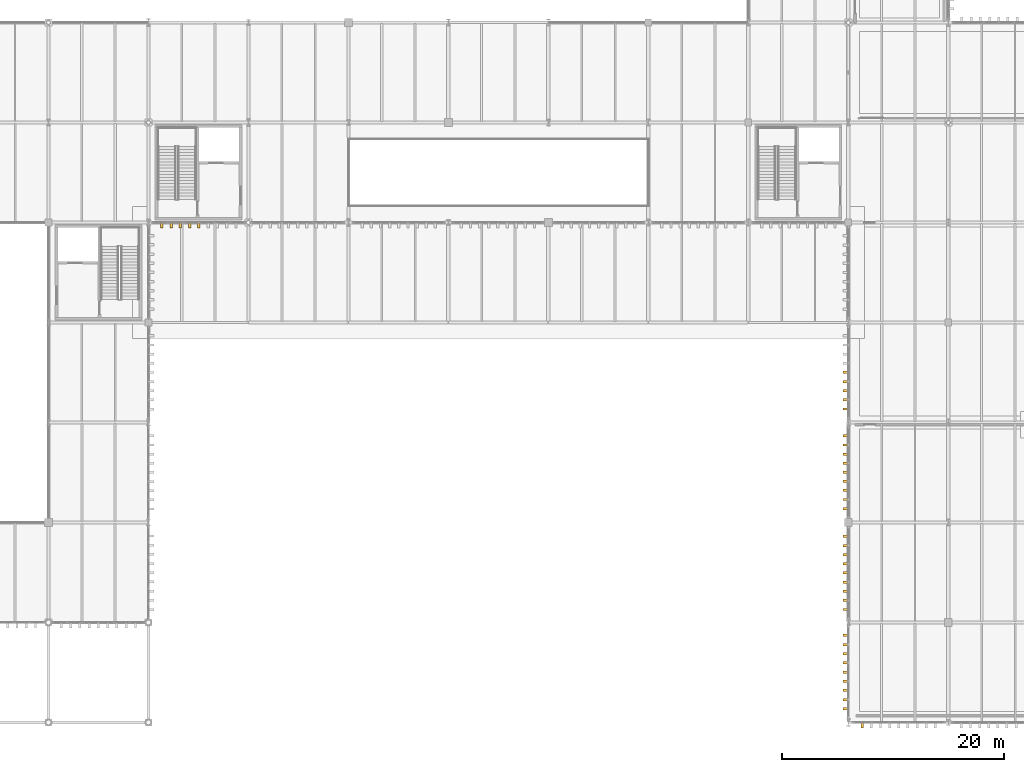
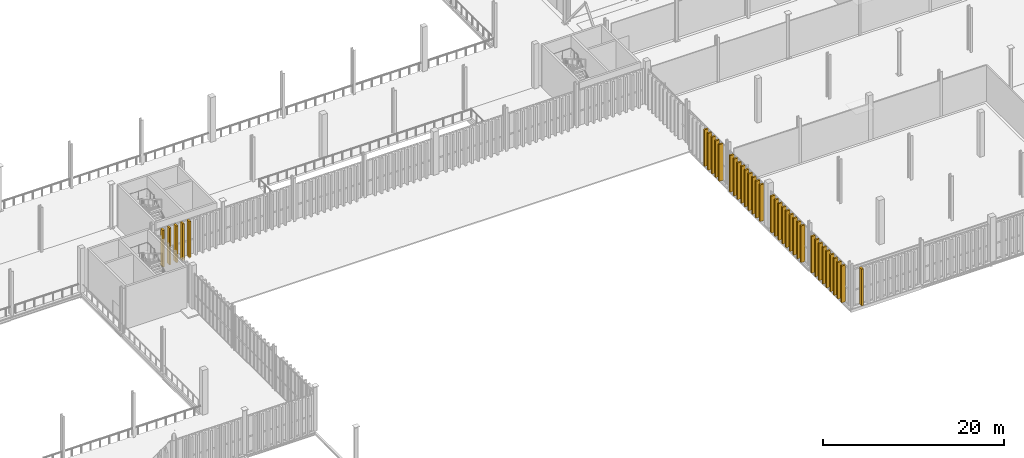
# One storey, part 191 of 211: 38 shading devices.
"""IFC4 building model written with IfcOpenShell, lengths in metres."""

from ifc_helpers import new_model, si_unit, direction, frame, origin, origin_2d, place, context, subcontext, project, spatial, rectangle, extrude, material, type_object, element, save


model = new_model("IFC4")

# Units and contexts
model_context = context("Model", 3, precision=1e-05, world=origin(), true_north=direction((0.0, 1.0)))
body_context = subcontext(model_context, "Body", "Model", "MODEL_VIEW")
ifc_project = project(units=[si_unit("LENGTHUNIT", "METRE"), si_unit("AREAUNIT", "SQUARE_METRE"), si_unit("VOLUMEUNIT", "CUBIC_METRE"), si_unit("PLANEANGLEUNIT", "RADIAN"), si_unit("MASSUNIT", "GRAM", prefix="KILO")], contexts=[model_context])

# Site, building, storey
site_placement = place(None, origin())
site = spatial("IfcSite", under=ifc_project, at=site_placement, CompositionType="ELEMENT")
building_placement = place(site_placement, origin())
building = spatial("IfcBuilding", under=site, at=building_placement, Name="Barlavento Convention Centre", CompositionType="ELEMENT")
storey_placement = place(building_placement, frame((0.0, 0.0, 6.0)))
storey = spatial("IfcBuildingStorey", under=building, at=storey_placement, Name="L01", CompositionType="ELEMENT", Elevation=6.0)

# Shading devices
ifc_material = material(Name="PVDF white extruded aluminium", Category="aluminium")
shading_device_type = type_object("IfcShadingDeviceType", Name="ARC-SHD-FIN-480", PredefinedType="USERDEFINED", material=ifc_material)
for number, where, z_axis, x_axis, name in (
    (1, (64.201171875, 44.760009765625, 0.0), (0.0, 0.0, 1.0), (1.0, 0.0, 0.0), "White vertical solar shading fin VF01"),
    (2, (65.0361328125, 44.760009765625, 0.0), (0.0, 0.0, 1.0), (1.0, 0.0, 0.0), "White vertical solar shading fin VF01"),
    (3, (65.87109375, 44.760009765625, 0.0), (0.0, 0.0, 1.0), (1.0, 0.0, 0.0), "White vertical solar shading fin VF01"),
    (4, (66.706298828125, 44.760009765625, 0.0), (0.0, 0.0, 1.0), (1.0, 0.0, 0.0), "White vertical solar shading fin VF01"),
    (5, (67.54150390625, 44.760009765625, 0.0), (0.0, 0.0, 1.0), (1.0, 0.0, 0.0), "White vertical solar shading fin VF01"),
    (6, (127.246337890625, -0.239990234375, 0.0), (0.0, 0.0, 1.0), (1.0, 0.0, 0.0), "White vertical solar shading fin VF01"),
    (7, (125.760009765625, 1.23828125, 0.0), (0.0, 0.0, 1.0), (0.0, 1.0, 0.0), "White vertical solar shading fin VF01"),
    (8, (125.760009765625, 2.062744140625, 0.0), (0.0, 0.0, 1.0), (0.0, 1.0, 0.0), "White vertical solar shading fin VF01"),
    (9, (125.760009765625, 2.88720703125, 0.0), (0.0, 0.0, 1.0), (0.0, 1.0, 0.0), "White vertical solar shading fin VF01"),
    (10, (125.760009765625, 3.711669921875, 0.0), (0.0, 0.0, 1.0), (0.0, 1.0, 0.0), "White vertical solar shading fin VF01"),
    (11, (125.760009765625, 4.535888671875, 0.0), (0.0, 0.0, 1.0), (0.0, 1.0, 0.0), "White vertical solar shading fin VF01"),
    (12, (125.760009765625, 5.3603515625, 0.0), (0.0, 0.0, 1.0), (0.0, 1.0, 0.0), "White vertical solar shading fin VF01"),
    (13, (125.760009765625, 6.184814453125, 0.0), (0.0, 0.0, 1.0), (0.0, 1.0, 0.0), "White vertical solar shading fin VF01"),
    (14, (125.760009765625, 7.00927734375, 0.0), (0.0, 0.0, 1.0), (0.0, 1.0, 0.0), "White vertical solar shading fin VF01"),
    (15, (125.760009765625, 7.83349609375, 0.0), (0.0, 0.0, 1.0), (0.0, 1.0, 0.0), "White vertical solar shading fin VF01"),
    (16, (125.760009765625, 10.164794921875, 0.0), (0.0, 0.0, 1.0), (0.0, 1.0, 0.0), "White vertical solar shading fin VF01"),
    (17, (125.760009765625, 10.987548828125, 0.0), (0.0, 0.0, 1.0), (0.0, 1.0, 0.0), "White vertical solar shading fin VF01"),
    (18, (125.760009765625, 11.810302734375, 0.0), (0.0, 0.0, 1.0), (0.0, 1.0, 0.0), "White vertical solar shading fin VF01"),
    (19, (125.760009765625, 12.63330078125, 0.0), (0.0, 0.0, 1.0), (0.0, 1.0, 0.0), "White vertical solar shading fin VF01"),
    (20, (125.760009765625, 13.4560546875, 0.0), (0.0, 0.0, 1.0), (0.0, 1.0, 0.0), "White vertical solar shading fin VF01"),
    (21, (125.760009765625, 14.27880859375, 0.0), (0.0, 0.0, 1.0), (0.0, 1.0, 0.0), "White vertical solar shading fin VF01"),
    (22, (125.760009765625, 15.1015625, 0.0), (0.0, 0.0, 1.0), (0.0, 1.0, 0.0), "White vertical solar shading fin VF01"),
    (23, (125.760009765625, 15.92431640625, 0.0), (0.0, 0.0, 1.0), (0.0, 1.0, 0.0), "White vertical solar shading fin VF01"),
    (24, (125.760009765625, 16.747314453125, 0.0), (0.0, 0.0, 1.0), (0.0, 1.0, 0.0), "White vertical solar shading fin VF01"),
    (25, (125.760009765625, 19.248046875, 0.0), (0.0, 0.0, 1.0), (0.0, 1.0, 0.0), "White vertical solar shading fin VF01"),
    (26, (125.760009765625, 20.06591796875, 0.0), (0.0, 0.0, 1.0), (0.0, 1.0, 0.0), "White vertical solar shading fin VF01"),
    (27, (125.760009765625, 20.884033203125, 0.0), (0.0, 0.0, 1.0), (0.0, 1.0, 0.0), "White vertical solar shading fin VF01"),
    (28, (125.760009765625, 21.701904296875, 0.0), (0.0, 0.0, 1.0), (0.0, 1.0, 0.0), "White vertical solar shading fin VF01"),
    (29, (125.760009765625, 22.52001953125, 0.0), (0.0, 0.0, 1.0), (0.0, 1.0, 0.0), "White vertical solar shading fin VF01"),
    (30, (125.760009765625, 23.337890625, 0.0), (0.0, 0.0, 1.0), (0.0, 1.0, 0.0), "White vertical solar shading fin VF01"),
    (31, (125.760009765625, 24.156005859375, 0.0), (0.0, 0.0, 1.0), (0.0, 1.0, 0.0), "White vertical solar shading fin VF01"),
    (32, (125.760009765625, 24.97412109375, 0.0), (0.0, 0.0, 1.0), (0.0, 1.0, 0.0), "White vertical solar shading fin VF01"),
    (33, (125.760009765625, 25.7919921875, 0.0), (0.0, 0.0, 1.0), (0.0, 1.0, 0.0), "White vertical solar shading fin VF01"),
    (34, (125.760009765625, 28.212890625, 0.0), (0.0, 0.0, 1.0), (0.0, 1.0, 0.0), "White vertical solar shading fin VF01"),
    (35, (125.760009765625, 29.035888671875, 0.0), (0.0, 0.0, 1.0), (0.0, 1.0, 0.0), "White vertical solar shading fin VF01"),
    (36, (125.760009765625, 29.85888671875, 0.0), (0.0, 0.0, 1.0), (0.0, 1.0, 0.0), "White vertical solar shading fin VF01"),
    (37, (125.760009765625, 30.681884765625, 0.0), (0.0, 0.0, 1.0), (0.0, 1.0, 0.0), "White vertical solar shading fin VF01"),
    (38, (125.760009765625, 31.5048828125, 0.0), (0.0, 0.0, 1.0), (0.0, 1.0, 0.0), "White vertical solar shading fin VF01"),
):
    element("IfcShadingDevice", number, at=place(storey_placement, frame(where, z_axis=z_axis, x_axis=x_axis)), inside=storey, type_object=shading_device_type, Name=name, ObjectType="FIN", PredefinedType="USERDEFINED", context=body_context, shape_type="SweptSolid", body=[
        extrude(rectangle(XDim=0.219970703125, YDim=0.52001953125, at=origin_2d()), origin(), (0.0, 0.0, 1.0), 4.949951171875),
    ])

save(model, "model.ifc")
